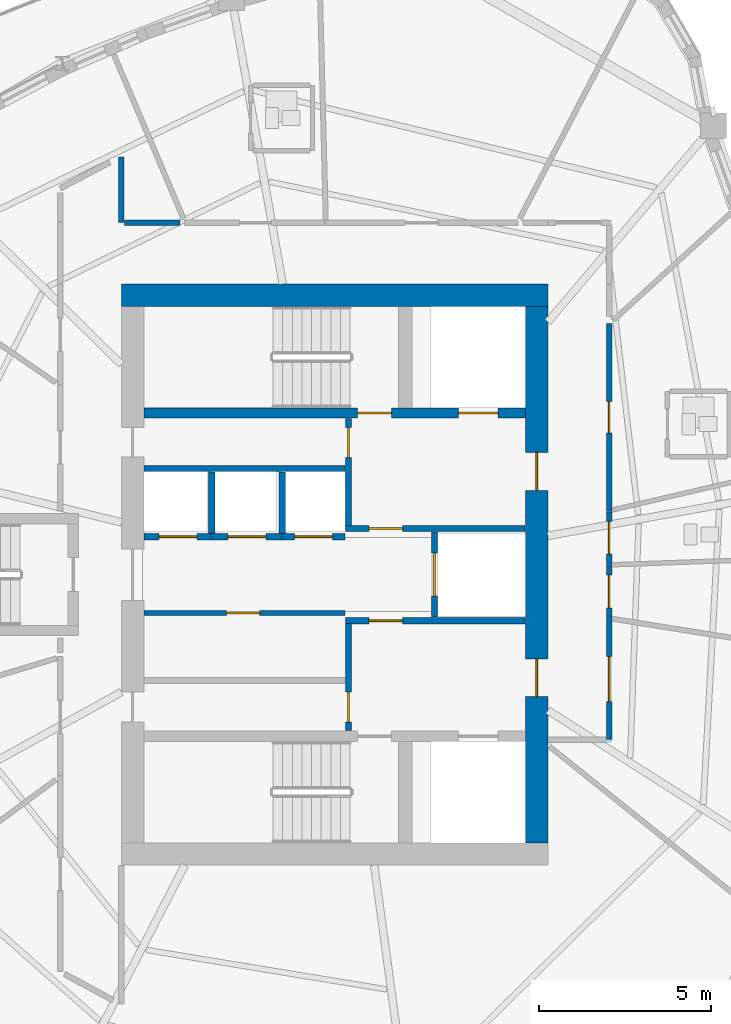
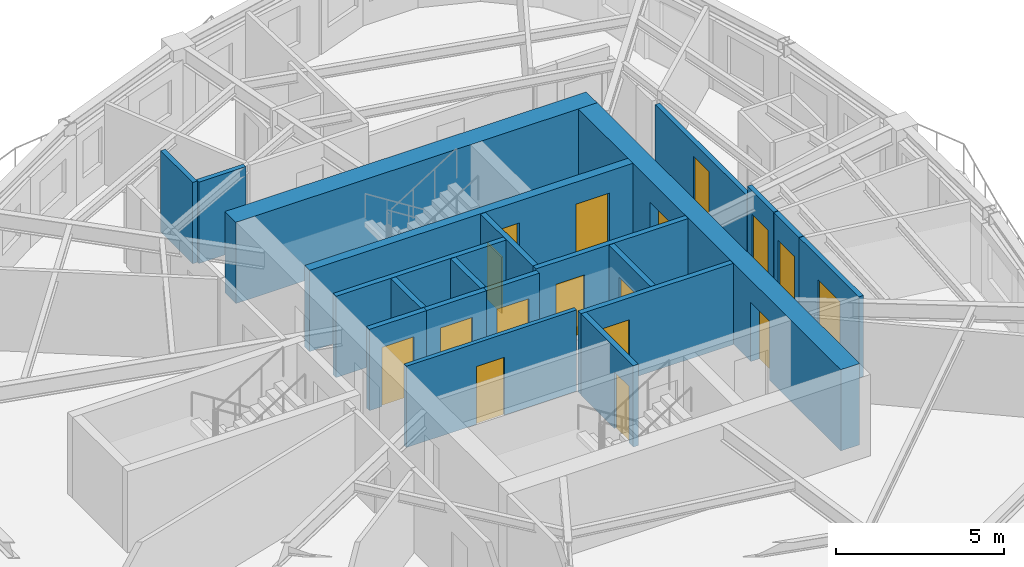
# One storey, part 5 of 12: 21 walls, 17 doors, 17 openings.
"""IFC4 building model written with IfcOpenShell, lengths in metres."""

from ifc_helpers import new_model, si_unit, direction, frame, frame_2d, origin, place, context, subcontext, project, spatial, rectangle, extrude, source, transform, mapped, material, layer, layer_set, type_object, element, fill, save


model = new_model("IFC4")

# Units and contexts
model_context = context("Model", 3, precision=1e-05, world=origin(), true_north=direction((0.0, 1.0)))
body_context = subcontext(model_context, "Body", "Model", "MODEL_VIEW")
ifc_project = project(units=[si_unit("LENGTHUNIT", "METRE"), si_unit("AREAUNIT", "SQUARE_METRE"), si_unit("VOLUMEUNIT", "CUBIC_METRE"), si_unit("PLANEANGLEUNIT", "RADIAN"), si_unit("MASSUNIT", "GRAM", prefix="KILO")], contexts=[model_context])

# Site, building, storey
site_placement = place(None, origin())
site = spatial("IfcSite", under=ifc_project, at=site_placement, CompositionType="ELEMENT")
building_placement = place(site_placement, origin())
building = spatial("IfcBuilding", under=site, at=building_placement, Name="Qafzar Sky-Pleat Residences", CompositionType="ELEMENT")
storey_placement = place(building_placement, frame((0.0, 0.0, 139.39990234375)))
storey = spatial("IfcBuildingStorey", under=building, at=storey_placement, Name="L41", CompositionType="ELEMENT", Elevation=139.39990234375)

# Wall, opening, door
ifc_material_1 = material(Name="Acoustic gypsum plasterboard partition", Category="gypsum")
ifc_layer_1 = layer(ifc_material_1, 0.159912109375)
ifc_layer_set_1 = layer_set([ifc_layer_1], Name="Acoustic gypsum plasterboard partition")
wall_type_1 = type_object("IfcWallType", Name="PART-COR-160", PredefinedType="PARTITIONING", material=ifc_layer_set_1)
wall_1_placement = place(storey_placement, frame((38.330078125, 33.302001953125, 0.0), z_axis=(0.0, 0.0, 1.0), x_axis=(0.0, -1.0, 0.0)))
wall_1 = element("IfcWall", 1, at=wall_1_placement, inside=storey, type_object=wall_type_1, Name="L41 Partition Wall PART-L41-PW-003", PredefinedType="PARTITIONING", context=body_context, shape_type="SweptSolid", body=[
    extrude(rectangle(XDim=5.4619140625, YDim=0.159912109375, at=frame_2d((2.73095703125, 0.0))), origin(), (0.0, 0.0, 1.0), 2.588134765625),
])
opening_1_placement = place(wall_1_placement, frame((2.27294921875, 0.0, 0.0)))
opening_1 = element("IfcOpeningElement", 2, at=opening_1_placement, cuts=wall_1, Name="Opening ID-04", PredefinedType="OPENING", context=body_context, shape_type="SweptSolid", body=[
    extrude(rectangle(XDim=0.919921875, YDim=2.10009765625, at=frame_2d((0.4599609375, 1.050048828125))), frame((0.0, 0.08984375, 0.0), z_axis=(0.0, -1.0, 0.0), x_axis=(1.0, 0.0, 0.0)), (0.0, 0.0, 1.0), 0.179931640625),
])
ifc_material_2 = material(Name="Timber-faced fire door", Category="wood")
door_type_1 = type_object("IfcDoorType", Name="DR-BED-920", OperationType="NOTDEFINED", PredefinedType="DOOR", material=ifc_material_2)
shared_shape_1 = source(origin(), body_context, "Body", "SweptSolid", [
    extrude(rectangle(XDim=0.919921875, YDim=2.10009765625, at=frame_2d((0.4599609375, 1.050048828125))), frame((0.0, 0.02490234375, 0.0), z_axis=(0.0, -1.0, 0.0), x_axis=(1.0, 0.0, 0.0)), (0.0, 0.0, 1.0), 0.050048828125),
])
door_1_placement = place(opening_1_placement, origin())
door_1 = element("IfcDoor", 3, at=door_1_placement, inside=storey, type_object=door_type_1, Name="L41 Co-Living Bedroom 1 Door", OperationType="SINGLE_SWING_LEFT", OverallHeight=2.10009765625, OverallWidth=0.919921875, PredefinedType="DOOR", context=body_context, shape_type="MappedRepresentation", body=[
    mapped(shared_shape_1, transform((0.0, 0.0, 0.0), x_axis=(1.0, 0.0, 0.0), y_axis=(0.0, 1.0, 0.0), z_axis=(0.0, 0.0, 1.0), scale=1.0)),
])
fill(opening_1, door_1)

wall_2_placement = place(storey_placement, frame((38.330078125, 24.7451171875, 0.0), z_axis=(0.0, 0.0, 1.0), x_axis=(0.0, -1.0, 0.0)))
wall_2 = element("IfcWall", 4, at=wall_2_placement, inside=storey, type_object=wall_type_1, Name="L41 Partition Wall PART-L41-PW-006", PredefinedType="PARTITIONING", context=body_context, shape_type="SweptSolid", body=[
    extrude(rectangle(XDim=3.545166015625, YDim=0.159912109375, at=frame_2d((1.7724609375, 0.0))), origin(), (0.0, 0.0, 1.0), 2.9501953125),
])
opening_2_placement = place(wall_2_placement, frame((1.1298828125, 0.0, 0.0)))
opening_2 = element("IfcOpeningElement", 5, at=opening_2_placement, cuts=wall_2, Name="Opening ID-05", PredefinedType="OPENING", context=body_context, shape_type="SweptSolid", body=[
    extrude(rectangle(XDim=1.300048828125, YDim=2.10009765625, at=frame_2d((0.64990234375, 1.050048828125))), frame((0.0, 0.08984375, 0.0), z_axis=(0.0, -1.0, 0.0), x_axis=(1.0, 0.0, 0.0)), (0.0, 0.0, 1.0), 0.179931640625),
])
door_type_2 = type_object("IfcDoorType", Name="DR-LNG-1300", OperationType="DOUBLE_DOOR_SINGLE_SWING", PredefinedType="DOOR", material=ifc_material_2)
shared_shape_2 = source(origin(), body_context, "Body", "SweptSolid", [
    extrude(rectangle(XDim=1.300048828125, YDim=2.10009765625, at=frame_2d((0.64990234375, 1.050048828125))), frame((0.0, 0.02490234375, 0.0), z_axis=(0.0, -1.0, 0.0), x_axis=(1.0, 0.0, 0.0)), (0.0, 0.0, 1.0), 0.050048828125),
])
door_2_placement = place(opening_2_placement, origin())
door_2 = element("IfcDoor", 6, at=door_2_placement, inside=storey, type_object=door_type_2, Name="L41 Co-Living Lounge Door", OperationType="DOUBLE_DOOR_SINGLE_SWING", OverallHeight=2.10009765625, OverallWidth=1.300048828125, PredefinedType="DOOR", context=body_context, shape_type="MappedRepresentation", body=[
    mapped(shared_shape_2, transform((0.0, 0.0, 0.0), x_axis=(1.0, 0.0, 0.0), y_axis=(0.0, 1.0, 0.0), z_axis=(0.0, 0.0, 1.0), scale=1.0)),
])
fill(opening_2, door_2)

wall_3_placement = place(storey_placement, frame((38.330078125, 27.824951171875, 0.0), z_axis=(0.0, 0.0, 1.0), x_axis=(0.0, -1.0, 0.0)))
wall_3 = element("IfcWall", 7, at=wall_3_placement, inside=storey, type_object=wall_type_1, Name="L41 Partition Wall PART-L41-PW-012", PredefinedType="PARTITIONING", context=body_context, shape_type="SweptSolid", body=[
    extrude(rectangle(XDim=1.557861328125, YDim=0.159912109375, at=frame_2d((0.77880859375, 0.0))), origin(), (0.0, 0.0, 1.0), 2.9501953125),
])
opening_3_placement = place(wall_3_placement, frame((0.281005859375, 0.0, 0.0)))
opening_3 = element("IfcOpeningElement", 8, at=opening_3_placement, cuts=wall_3, Name="Opening ID-08", PredefinedType="OPENING", context=body_context, shape_type="SweptSolid", body=[
    extrude(rectangle(XDim=0.949951171875, YDim=2.10009765625, at=frame_2d((0.47509765625, 1.050048828125))), frame((0.0, 0.08984375, 0.0), z_axis=(0.0, -1.0, 0.0), x_axis=(1.0, 0.0, 0.0)), (0.0, 0.0, 1.0), 0.179931640625),
])
door_type_3 = type_object("IfcDoorType", Name="DR-AWC-950", OperationType="NOTDEFINED", PredefinedType="DOOR", material=ifc_material_2)
shared_shape_3 = source(origin(), body_context, "Body", "SweptSolid", [
    extrude(rectangle(XDim=0.949951171875, YDim=2.10009765625, at=frame_2d((0.47509765625, 1.050048828125))), frame((0.0, 0.02490234375, 0.0), z_axis=(0.0, -1.0, 0.0), x_axis=(1.0, 0.0, 0.0)), (0.0, 0.0, 1.0), 0.050048828125),
])
door_3_placement = place(opening_3_placement, origin())
door_3 = element("IfcDoor", 9, at=door_3_placement, inside=storey, type_object=door_type_3, Name="L41 Accessible Shared Washroom Door", OperationType="SINGLE_SWING_RIGHT", OverallHeight=2.10009765625, OverallWidth=0.949951171875, PredefinedType="DOOR", context=body_context, shape_type="MappedRepresentation", body=[
    mapped(shared_shape_3, transform((0.0, 0.0, 0.0), x_axis=(1.0, 0.0, 0.0), y_axis=(0.0, 1.0, 0.0), z_axis=(0.0, 0.0, 1.0), scale=1.0)),
])
fill(opening_3, door_3)

wall_4_placement = place(storey_placement, frame((38.330078125, 26.251953125, 0.0), z_axis=(0.0, 0.0, 1.0), x_axis=(0.0, -1.0, 0.0)))
wall_4 = element("IfcWall", 10, at=wall_4_placement, inside=storey, type_object=wall_type_1, Name="L41 Partition Wall PART-L41-PW-013", PredefinedType="PARTITIONING", context=body_context, shape_type="SweptSolid", body=[
    extrude(rectangle(XDim=1.491943359375, YDim=0.159912109375, at=frame_2d((0.74609375, 0.0))), origin(), (0.0, 0.0, 1.0), 2.9501953125),
])
opening_4_placement = place(wall_4_placement, frame((0.26611328125, 0.0, 0.0)))
opening_4 = element("IfcOpeningElement", 11, at=opening_4_placement, cuts=wall_4, Name="Opening ID-06", PredefinedType="OPENING", context=body_context, shape_type="SweptSolid", body=[
    extrude(rectangle(XDim=0.9599609375, YDim=2.10009765625, at=frame_2d((0.47998046875, 1.050048828125))), frame((0.0, 0.08984375, 0.0), z_axis=(0.0, -1.0, 0.0), x_axis=(1.0, 0.0, 0.0)), (0.0, 0.0, 1.0), 0.179931640625),
])
door_type_4 = type_object("IfcDoorType", Name="DR-STD-960", OperationType="NOTDEFINED", PredefinedType="DOOR", material=ifc_material_2)
shared_shape_4 = source(origin(), body_context, "Body", "SweptSolid", [
    extrude(rectangle(XDim=0.9599609375, YDim=2.10009765625, at=frame_2d((0.47998046875, 1.050048828125))), frame((0.0, 0.02490234375, 0.0), z_axis=(0.0, -1.0, 0.0), x_axis=(1.0, 0.0, 0.0)), (0.0, 0.0, 1.0), 0.050048828125),
])
door_4_placement = place(opening_4_placement, origin())
door_4 = element("IfcDoor", 12, at=door_4_placement, inside=storey, type_object=door_type_4, Name="L41 Scholar Study Room Door", OperationType="SINGLE_SWING_LEFT", OverallHeight=2.10009765625, OverallWidth=0.9599609375, PredefinedType="DOOR", context=body_context, shape_type="MappedRepresentation", body=[
    mapped(shared_shape_4, transform((0.0, 0.0, 0.0), x_axis=(1.0, 0.0, 0.0), y_axis=(0.0, 1.0, 0.0), z_axis=(0.0, 0.0, 1.0), scale=1.0)),
])
fill(opening_4, door_4)

# Walls
wall_5_placement = place(storey_placement, frame((24.14990234375, 36.22998046875, 0.0), z_axis=(0.0, 0.0, 1.0), x_axis=(0.0, 1.0, 0.0)))
element("IfcWall", 13, at=wall_5_placement, inside=storey, type_object=wall_type_1, Name="L41 Partition Wall PART-L41-PW-026", PredefinedType="PARTITIONING", context=body_context, shape_type="SweptSolid", body=[
    extrude(rectangle(XDim=1.906005859375, YDim=0.159912109375, at=frame_2d((0.953125, 0.0))), origin(), (0.0, 0.0, 1.0), 2.9501953125),
])
wall_6_placement = place(storey_placement, frame((24.238037109375, 36.22998046875, 0.0), z_axis=(0.0, 0.0, 1.0), x_axis=(1.0, 0.0, 0.0)))
element("IfcWall", 14, at=wall_6_placement, inside=storey, type_object=wall_type_1, Name="L41 Partition Wall PART-L41-PW-029", PredefinedType="PARTITIONING", context=body_context, shape_type="SweptSolid", body=[
    extrude(rectangle(XDim=1.6162109375, YDim=0.159912109375, at=frame_2d((0.80810546875, 0.0))), origin(), (0.0, 0.0, 1.0), 2.9501953125),
])

# Wall, opening, door
ifc_material_3 = material(Name="Concrete blockwork partition", Category="masonry")
ifc_layer_2 = layer(ifc_material_3, 0.179931640625)
ifc_layer_set_2 = layer_set([ifc_layer_2], Name="Concrete blockwork partition")
wall_type_2 = type_object("IfcWallType", Name="PART-SHAFT-180", PredefinedType="PARTITIONING", material=ifc_layer_set_2)
wall_7_placement = place(storey_placement, frame((30.75, 21.4599609375, 0.0), z_axis=(0.0, 0.0, 1.0), x_axis=(0.0, 1.0, 0.0)))
wall_7 = element("IfcWall", 15, at=wall_7_placement, inside=storey, type_object=wall_type_2, Name="L41 Partition Wall PART-L41-FFL1-W", PredefinedType="PARTITIONING", context=body_context, shape_type="SweptSolid", body=[
    extrude(rectangle(XDim=3.110107421875, YDim=0.179931640625, at=frame_2d((1.55517578125, 0.0))), origin(), (0.0, 0.0, 1.0), 2.9501953125),
])
opening_5_placement = place(wall_7_placement, frame((0.260009765625, 0.0, 0.0)))
opening_5 = element("IfcOpeningElement", 16, at=opening_5_placement, cuts=wall_7, Name="Opening ID-09", PredefinedType="OPENING", context=body_context, shape_type="SweptSolid", body=[
    extrude(rectangle(XDim=0.860107421875, YDim=2.050048828125, at=frame_2d((0.43017578125, 1.02490234375))), frame((0.0, 0.10009765625, 0.0), z_axis=(0.0, -1.0, 0.0), x_axis=(1.0, 0.0, 0.0)), (0.0, 0.0, 1.0), 0.199951171875),
])
door_type_5 = type_object("IfcDoorType", Name="DR-SVC-860", OperationType="NOTDEFINED", PredefinedType="DOOR", material=ifc_material_2)
shared_shape_5 = source(origin(), body_context, "Body", "SweptSolid", [
    extrude(rectangle(XDim=0.860107421875, YDim=2.050048828125, at=frame_2d((0.43017578125, 1.02490234375))), frame((0.0, 0.02490234375, 0.0), z_axis=(0.0, -1.0, 0.0), x_axis=(1.0, 0.0, 0.0)), (0.0, 0.0, 1.0), 0.050048828125),
])
door_5_placement = place(opening_5_placement, origin())
door_5 = element("IfcDoor", 17, at=door_5_placement, inside=storey, type_object=door_type_5, Name="L41 South Core Cupboard Door", OperationType="SINGLE_SWING_RIGHT", OverallHeight=2.050048828125, OverallWidth=0.860107421875, PredefinedType="DOOR", context=body_context, shape_type="MappedRepresentation", body=[
    mapped(shared_shape_5, transform((0.0, 0.0, 0.0), x_axis=(1.0, 0.0, 0.0), y_axis=(0.0, 1.0, 0.0), z_axis=(0.0, 0.0, 1.0), scale=1.0)),
])
fill(opening_5, door_5)

wall_8_placement = place(storey_placement, frame((30.669921875, 24.659912109375, 0.0), z_axis=(0.0, 0.0, 1.0), x_axis=(1.0, 0.0, 0.0)))
wall_8 = element("IfcWall", 18, at=wall_8_placement, inside=storey, type_object=wall_type_2, Name="L41 Partition Wall PART-L41-FFL1-N", PredefinedType="PARTITIONING", context=body_context, shape_type="SweptSolid", body=[
    extrude(rectangle(XDim=5.219970703125, YDim=0.179931640625, at=frame_2d((2.60986328125, 0.0))), origin(), (0.0, 0.0, 1.0), 2.9501953125),
])
opening_6_placement = place(wall_8_placement, frame((0.679931640625, 0.0, 0.0)))
opening_6 = element("IfcOpeningElement", 19, at=opening_6_placement, cuts=wall_8, Name="Opening ID-01", PredefinedType="OPENING", context=body_context, shape_type="SweptSolid", body=[
    extrude(rectangle(XDim=0.97998046875, YDim=2.14990234375, at=frame_2d((0.489990234375, 1.074951171875))), frame((0.0, 0.10009765625, 0.0), z_axis=(0.0, -1.0, 0.0), x_axis=(1.0, 0.0, 0.0)), (0.0, 0.0, 1.0), 0.199951171875),
])
door_type_6 = type_object("IfcDoorType", Name="DR-STAIR-980", OperationType="NOTDEFINED", PredefinedType="DOOR", material=ifc_material_2)
shared_shape_6 = source(origin(), body_context, "Body", "SweptSolid", [
    extrude(rectangle(XDim=0.97998046875, YDim=2.14990234375, at=frame_2d((0.489990234375, 1.074951171875))), frame((0.0, 0.02490234375, 0.0), z_axis=(0.0, -1.0, 0.0), x_axis=(1.0, 0.0, 0.0)), (0.0, 0.0, 1.0), 0.050048828125),
])
door_6_placement = place(opening_6_placement, origin())
door_6 = element("IfcDoor", 20, at=door_6_placement, inside=storey, type_object=door_type_6, Name="L41 Lift Lobby to South Firefighting Lobby Door", OperationType="SINGLE_SWING_LEFT", OverallHeight=2.14990234375, OverallWidth=0.97998046875, PredefinedType="DOOR", context=body_context, shape_type="MappedRepresentation", body=[
    mapped(shared_shape_6, transform((0.0, 0.0, 0.0), x_axis=(1.0, 0.0, 0.0), y_axis=(0.0, 1.0, 0.0), z_axis=(0.0, 0.0, 1.0), scale=1.0)),
])
fill(opening_6, door_6)

wall_9_placement = place(storey_placement, frame((30.75, 27.429931640625, 0.0), z_axis=(0.0, 0.0, 1.0), x_axis=(0.0, 1.0, 0.0)))
wall_9 = element("IfcWall", 21, at=wall_9_placement, inside=storey, type_object=wall_type_2, Name="L41 Partition Wall PART-L41-FFL2-W", PredefinedType="PARTITIONING", context=body_context, shape_type="SweptSolid", body=[
    extrude(rectangle(XDim=3.110107421875, YDim=0.179931640625, at=frame_2d((1.55517578125, 0.0))), origin(), (0.0, 0.0, 1.0), 2.9501953125),
])
opening_7_placement = place(wall_9_placement, frame((1.97998046875, 0.0, 0.0)))
opening_7 = element("IfcOpeningElement", 22, at=opening_7_placement, cuts=wall_9, Name="Opening ID-09", PredefinedType="OPENING", context=body_context, shape_type="SweptSolid", body=[
    extrude(rectangle(XDim=0.860107421875, YDim=2.050048828125, at=frame_2d((0.43017578125, 1.02490234375))), frame((0.0, 0.10009765625, 0.0), z_axis=(0.0, -1.0, 0.0), x_axis=(1.0, 0.0, 0.0)), (0.0, 0.0, 1.0), 0.199951171875),
])
door_7_placement = place(opening_7_placement, origin())
door_7 = element("IfcDoor", 23, at=door_7_placement, inside=storey, type_object=door_type_5, Name="L41 North Core Cupboard Door", OperationType="SINGLE_SWING_RIGHT", OverallHeight=2.050048828125, OverallWidth=0.860107421875, PredefinedType="DOOR", context=body_context, shape_type="MappedRepresentation", body=[
    mapped(shared_shape_5, transform((0.0, 0.0, 0.0), x_axis=(1.0, 0.0, 0.0), y_axis=(0.0, 1.0, 0.0), z_axis=(0.0, 0.0, 1.0), scale=1.0)),
])
fill(opening_7, door_7)

wall_10_placement = place(storey_placement, frame((30.669921875, 27.340087890625, 0.0), z_axis=(0.0, 0.0, 1.0), x_axis=(1.0, 0.0, 0.0)))
wall_10 = element("IfcWall", 24, at=wall_10_placement, inside=storey, type_object=wall_type_2, Name="L41 Partition Wall PART-L41-FFL2-S", PredefinedType="PARTITIONING", context=body_context, shape_type="SweptSolid", body=[
    extrude(rectangle(XDim=5.219970703125, YDim=0.179931640625, at=frame_2d((2.60986328125, 0.0))), origin(), (0.0, 0.0, 1.0), 2.9501953125),
])
opening_8_placement = place(wall_10_placement, frame((0.679931640625, 0.0, 0.0)))
opening_8 = element("IfcOpeningElement", 25, at=opening_8_placement, cuts=wall_10, Name="Opening ID-01", PredefinedType="OPENING", context=body_context, shape_type="SweptSolid", body=[
    extrude(rectangle(XDim=0.97998046875, YDim=2.14990234375, at=frame_2d((0.489990234375, 1.074951171875))), frame((0.0, 0.10009765625, 0.0), z_axis=(0.0, -1.0, 0.0), x_axis=(1.0, 0.0, 0.0)), (0.0, 0.0, 1.0), 0.199951171875),
])
door_8_placement = place(opening_8_placement, origin())
door_8 = element("IfcDoor", 26, at=door_8_placement, inside=storey, type_object=door_type_6, Name="L41 Lift Lobby to North Firefighting Lobby Door", OperationType="SINGLE_SWING_LEFT", OverallHeight=2.14990234375, OverallWidth=0.97998046875, PredefinedType="DOOR", context=body_context, shape_type="MappedRepresentation", body=[
    mapped(shared_shape_6, transform((0.0, 0.0, 0.0), x_axis=(1.0, 0.0, 0.0), y_axis=(0.0, 1.0, 0.0), z_axis=(0.0, 0.0, 1.0), scale=1.0)),
])
fill(opening_8, door_8)

wall_11_placement = place(storey_placement, frame((33.25, 24.760009765625, 0.0), z_axis=(0.0, 0.0, 1.0), x_axis=(0.0, 1.0, 0.0)))
wall_11 = element("IfcWall", 27, at=wall_11_placement, inside=storey, type_object=wall_type_2, Name="L41 Partition Wall PART-L41-SV1-W", PredefinedType="PARTITIONING", context=body_context, shape_type="SweptSolid", body=[
    extrude(rectangle(XDim=2.47998046875, YDim=0.179931640625, at=frame_2d((1.239990234375, 0.0))), origin(), (0.0, 0.0, 1.0), 2.9501953125),
])
opening_9_placement = place(wall_11_placement, frame((0.614990234375, 0.0, 0.0)))
opening_9 = element("IfcOpeningElement", 28, at=opening_9_placement, cuts=wall_11, Name="Opening LD-03", PredefinedType="OPENING", context=body_context, shape_type="SweptSolid", body=[
    extrude(rectangle(XDim=1.25, YDim=2.14990234375, at=frame_2d((0.625, 1.074951171875))), frame((0.0, 0.10009765625, 0.0), z_axis=(0.0, -1.0, 0.0), x_axis=(1.0, 0.0, 0.0)), (0.0, 0.0, 1.0), 0.199951171875),
])
ifc_material_4 = material(Name="Stainless steel sliding landing door", Category="steel")
door_type_7 = type_object("IfcDoorType", Name="DR-LIFT-SV", OperationType="DOUBLE_DOOR_SLIDING", PredefinedType="DOOR", material=ifc_material_4)
shared_shape_7 = source(origin(), body_context, "Body", "SweptSolid", [
    extrude(rectangle(XDim=1.25, YDim=2.14990234375, at=frame_2d((0.625, 1.074951171875))), frame((0.0, 0.02490234375, 0.0), z_axis=(0.0, -1.0, 0.0), x_axis=(1.0, 0.0, 0.0)), (0.0, 0.0, 1.0), 0.050048828125),
])
door_9_placement = place(opening_9_placement, origin())
door_9 = element("IfcDoor", 29, at=door_9_placement, inside=storey, type_object=door_type_7, Name="L41 Service Lift SV1 Landing Door", OperationType="DOUBLE_DOOR_SLIDING", OverallHeight=2.14990234375, OverallWidth=1.25, PredefinedType="DOOR", context=body_context, shape_type="MappedRepresentation", body=[
    mapped(shared_shape_7, transform((0.0, 0.0, 0.0), x_axis=(1.0, 0.0, 0.0), y_axis=(0.0, 1.0, 0.0), z_axis=(0.0, 0.0, 1.0), scale=1.0)),
])
fill(opening_9, door_9)

# Wall
wall_12_placement = place(storey_placement, frame((24.81005859375, 29.080078125, 0.0), z_axis=(0.0, 0.0, 1.0), x_axis=(1.0, 0.0, 0.0)))
element("IfcWall", 30, at=wall_12_placement, inside=storey, type_object=wall_type_2, Name="L41 Partition Wall PART-L41-P46-N", PredefinedType="PARTITIONING", context=body_context, shape_type="SweptSolid", body=[
    extrude(rectangle(XDim=5.83984375, YDim=0.179931640625, at=frame_2d((2.919921875, 0.0))), origin(), (0.0, 0.0, 1.0), 2.9501953125),
])

# Wall, opening, door
wall_13_placement = place(storey_placement, frame((24.81005859375, 27.10009765625, 0.0), z_axis=(0.0, 0.0, 1.0), x_axis=(1.0, 0.0, 0.0)))
wall_13 = element("IfcWall", 31, at=wall_13_placement, inside=storey, type_object=wall_type_2, Name="L41 Partition Wall PART-L41-P4-S", PredefinedType="PARTITIONING", context=body_context, shape_type="SweptSolid", body=[
    extrude(rectangle(XDim=1.96484375, YDim=0.179931640625, at=frame_2d((0.982421875, 0.0))), origin(), (0.0, 0.0, 1.0), 2.9501953125),
])
opening_10_placement = place(wall_13_placement, frame((0.4326171875, 0.0, 0.0)))
opening_10 = element("IfcOpeningElement", 32, at=opening_10_placement, cuts=wall_13, Name="Opening LD-01", PredefinedType="OPENING", context=body_context, shape_type="SweptSolid", body=[
    extrude(rectangle(XDim=1.10009765625, YDim=2.14990234375, at=frame_2d((0.550048828125, 1.074951171875))), frame((0.0, 0.10009765625, 0.0), z_axis=(0.0, -1.0, 0.0), x_axis=(1.0, 0.0, 0.0)), (0.0, 0.0, 1.0), 0.199951171875),
])
door_type_8 = type_object("IfcDoorType", Name="DR-LIFT-P", OperationType="DOUBLE_DOOR_SLIDING", PredefinedType="DOOR", material=ifc_material_4)
shared_shape_8 = source(origin(), body_context, "Body", "SweptSolid", [
    extrude(rectangle(XDim=1.10009765625, YDim=2.14990234375, at=frame_2d((0.550048828125, 1.074951171875))), frame((0.0, 0.02490234375, 0.0), z_axis=(0.0, -1.0, 0.0), x_axis=(1.0, 0.0, 0.0)), (0.0, 0.0, 1.0), 0.050048828125),
])
door_10_placement = place(opening_10_placement, origin())
door_10 = element("IfcDoor", 33, at=door_10_placement, inside=storey, type_object=door_type_8, Name="L41 Passenger Lift P4 Landing Door", OperationType="DOUBLE_DOOR_SLIDING", OverallHeight=2.14990234375, OverallWidth=1.10009765625, PredefinedType="DOOR", context=body_context, shape_type="MappedRepresentation", body=[
    mapped(shared_shape_8, transform((0.0, 0.0, 0.0), x_axis=(1.0, 0.0, 0.0), y_axis=(0.0, 1.0, 0.0), z_axis=(0.0, 0.0, 1.0), scale=1.0)),
])
fill(opening_10, door_10)

wall_14_placement = place(storey_placement, frame((26.77490234375, 27.10009765625, 0.0), z_axis=(0.0, 0.0, 1.0), x_axis=(1.0, 0.0, 0.0)))
wall_14 = element("IfcWall", 34, at=wall_14_placement, inside=storey, type_object=wall_type_2, Name="L41 Partition Wall PART-L41-P5-S", PredefinedType="PARTITIONING", context=body_context, shape_type="SweptSolid", body=[
    extrude(rectangle(XDim=2.050048828125, YDim=0.179931640625, at=frame_2d((1.02490234375, 0.0))), origin(), (0.0, 0.0, 1.0), 2.9501953125),
])
opening_11_placement = place(wall_14_placement, frame((0.47509765625, 0.0, 0.0)))
opening_11 = element("IfcOpeningElement", 35, at=opening_11_placement, cuts=wall_14, Name="Opening LD-01", PredefinedType="OPENING", context=body_context, shape_type="SweptSolid", body=[
    extrude(rectangle(XDim=1.10009765625, YDim=2.14990234375, at=frame_2d((0.550048828125, 1.074951171875))), frame((0.0, 0.10009765625, 0.0), z_axis=(0.0, -1.0, 0.0), x_axis=(1.0, 0.0, 0.0)), (0.0, 0.0, 1.0), 0.199951171875),
])
door_11_placement = place(opening_11_placement, origin())
door_11 = element("IfcDoor", 36, at=door_11_placement, inside=storey, type_object=door_type_8, Name="L41 Passenger Lift P5 Landing Door", OperationType="DOUBLE_DOOR_SLIDING", OverallHeight=2.14990234375, OverallWidth=1.10009765625, PredefinedType="DOOR", context=body_context, shape_type="MappedRepresentation", body=[
    mapped(shared_shape_8, transform((0.0, 0.0, 0.0), x_axis=(1.0, 0.0, 0.0), y_axis=(0.0, 1.0, 0.0), z_axis=(0.0, 0.0, 1.0), scale=1.0)),
])
fill(opening_11, door_11)

# Wall
wall_15_placement = place(storey_placement, frame((26.77490234375, 27.199951171875, 0.0), z_axis=(0.0, 0.0, 1.0), x_axis=(0.0, 1.0, 0.0)))
element("IfcWall", 37, at=wall_15_placement, inside=storey, type_object=wall_type_2, Name="L41 Partition Wall PART-L41-P46-DIV-1", PredefinedType="PARTITIONING", context=body_context, shape_type="SweptSolid", body=[
    extrude(rectangle(XDim=1.780029296875, YDim=0.179931640625, at=frame_2d((0.89013671875, 0.0))), origin(), (0.0, 0.0, 1.0), 2.9501953125),
])

# Wall, opening, door
wall_16_placement = place(storey_placement, frame((28.824951171875, 27.10009765625, 0.0), z_axis=(0.0, 0.0, 1.0), x_axis=(1.0, 0.0, 0.0)))
wall_16 = element("IfcWall", 38, at=wall_16_placement, inside=storey, type_object=wall_type_2, Name="L41 Partition Wall PART-L41-P6-S", PredefinedType="PARTITIONING", context=body_context, shape_type="SweptSolid", body=[
    extrude(rectangle(XDim=1.824951171875, YDim=0.179931640625, at=frame_2d((0.91259765625, 0.0))), origin(), (0.0, 0.0, 1.0), 2.9501953125),
])
opening_12_placement = place(wall_16_placement, frame((0.362548828125, 0.0, 0.0)))
opening_12 = element("IfcOpeningElement", 39, at=opening_12_placement, cuts=wall_16, Name="Opening LD-01", PredefinedType="OPENING", context=body_context, shape_type="SweptSolid", body=[
    extrude(rectangle(XDim=1.10009765625, YDim=2.14990234375, at=frame_2d((0.550048828125, 1.074951171875))), frame((0.0, 0.10009765625, 0.0), z_axis=(0.0, -1.0, 0.0), x_axis=(1.0, 0.0, 0.0)), (0.0, 0.0, 1.0), 0.199951171875),
])
door_12_placement = place(opening_12_placement, origin())
door_12 = element("IfcDoor", 40, at=door_12_placement, inside=storey, type_object=door_type_8, Name="L41 Passenger Lift P6 Landing Door", OperationType="DOUBLE_DOOR_SLIDING", OverallHeight=2.14990234375, OverallWidth=1.10009765625, PredefinedType="DOOR", context=body_context, shape_type="MappedRepresentation", body=[
    mapped(shared_shape_8, transform((0.0, 0.0, 0.0), x_axis=(1.0, 0.0, 0.0), y_axis=(0.0, 1.0, 0.0), z_axis=(0.0, 0.0, 1.0), scale=1.0)),
])
fill(opening_12, door_12)

# Wall
wall_17_placement = place(storey_placement, frame((28.824951171875, 27.199951171875, 0.0), z_axis=(0.0, 0.0, 1.0), x_axis=(0.0, 1.0, 0.0)))
element("IfcWall", 41, at=wall_17_placement, inside=storey, type_object=wall_type_2, Name="L41 Partition Wall PART-L41-P46-DIV-2", PredefinedType="PARTITIONING", context=body_context, shape_type="SweptSolid", body=[
    extrude(rectangle(XDim=1.780029296875, YDim=0.179931640625, at=frame_2d((0.89013671875, 0.0))), origin(), (0.0, 0.0, 1.0), 2.9501953125),
])

# Wall, opening, door
ifc_layer_3 = layer(ifc_material_1, 0.14501953125)
ifc_layer_set_3 = layer_set([ifc_layer_3], Name="Acoustic gypsum plasterboard partition")
wall_type_3 = type_object("IfcWallType", Name="PART-UNIT-145", PredefinedType="PARTITIONING", material=ifc_layer_set_3)
wall_18_placement = place(storey_placement, frame((24.81005859375, 24.8798828125, 0.0), z_axis=(0.0, 0.0, 1.0), x_axis=(1.0, 0.0, 0.0)))
wall_18 = element("IfcWall", 42, at=wall_18_placement, inside=storey, type_object=wall_type_3, Name="L41 Partition Wall PART-L41-RECLAIM-N", PredefinedType="PARTITIONING", context=body_context, shape_type="SweptSolid", body=[
    extrude(rectangle(XDim=5.83984375, YDim=0.14501953125, at=frame_2d((2.919921875, 0.0))), origin(), (0.0, 0.0, 1.0), 2.9501953125),
])
opening_13_placement = place(wall_18_placement, frame((2.39990234375, 0.0, 0.0)))
opening_13 = element("IfcOpeningElement", 43, at=opening_13_placement, cuts=wall_18, Name="Opening ID-06", PredefinedType="OPENING", context=body_context, shape_type="SweptSolid", body=[
    extrude(rectangle(XDim=0.9599609375, YDim=2.10009765625, at=frame_2d((0.47998046875, 1.050048828125))), frame((0.0, 0.08251953125, 0.0), z_axis=(0.0, -1.0, 0.0), x_axis=(1.0, 0.0, 0.0)), (0.0, 0.0, 1.0), 0.1650390625),
])
door_13_placement = place(opening_13_placement, origin())
door_13 = element("IfcDoor", 44, at=door_13_placement, inside=storey, type_object=door_type_4, Name="L41 Reclaimed Resident Laundry Room Door", OperationType="SINGLE_SWING_RIGHT", OverallHeight=2.10009765625, OverallWidth=0.9599609375, PredefinedType="DOOR", context=body_context, shape_type="MappedRepresentation", body=[
    mapped(shared_shape_4, transform((0.0, 0.0, 0.0), x_axis=(1.0, 0.0, 0.0), y_axis=(0.0, 1.0, 0.0), z_axis=(0.0, 0.0, 1.0), scale=1.0)),
])
fill(opening_13, door_13)

# Wall, openings, doors
ifc_material_5 = material(Name="Concrete C60/75", Category="concrete")
ifc_layer_4 = layer(ifc_material_5, 0.300048828125)
ifc_layer_set_4 = layer_set([ifc_layer_4], Name="Concrete C60/75")
wall_type_4 = type_object("IfcWallType", Name="WALL-SHEAR-300", PredefinedType="SHEAR", material=ifc_layer_set_4)
wall_19_placement = place(storey_placement, frame((24.800048828125, 30.699951171875, 0.0), z_axis=(0.0, 0.0, 1.0), x_axis=(1.0, 0.0, 0.0)))
wall_19 = element("IfcWall", 45, at=wall_19_placement, inside=storey, type_object=wall_type_4, Name="L41 Stair ST2 and FF2 Shaft South Wall", PredefinedType="SHEAR", context=body_context, shape_type="SweptSolid", body=[
    extrude(rectangle(XDim=11.099853515625, YDim=0.300048828125, at=frame_2d((5.5498046875, 0.0))), origin(), (0.0, 0.0, 1.0), 2.9501953125),
])
opening_14_placement = place(wall_19_placement, frame((6.219970703125, 0.0, 0.0)))
opening_14 = element("IfcOpeningElement", 46, at=opening_14_placement, cuts=wall_19, Name="Opening ID-01", PredefinedType="OPENING", context=body_context, shape_type="SweptSolid", body=[
    extrude(rectangle(XDim=0.97998046875, YDim=2.14990234375, at=frame_2d((0.489990234375, 1.074951171875))), frame((0.0, 0.16015625, 0.0), z_axis=(0.0, -1.0, 0.0), x_axis=(1.0, 0.0, 0.0)), (0.0, 0.0, 1.0), 0.320068359375),
])
opening_15_placement = place(wall_19_placement, frame((9.14990234375, 0.0, 0.0)))
opening_15 = element("IfcOpeningElement", 47, at=opening_15_placement, cuts=wall_19, Name="Opening LD-02", PredefinedType="OPENING", context=body_context, shape_type="SweptSolid", body=[
    extrude(rectangle(XDim=1.14990234375, YDim=2.14990234375, at=frame_2d((0.574951171875, 1.074951171875))), frame((0.0, 0.16015625, 0.0), z_axis=(0.0, -1.0, 0.0), x_axis=(1.0, 0.0, 0.0)), (0.0, 0.0, 1.0), 0.320068359375),
])
door_14_placement = place(opening_14_placement, origin())
door_14 = element("IfcDoor", 48, at=door_14_placement, inside=storey, type_object=door_type_6, Name="L41 Stair ST2 Fire Door", OperationType="SINGLE_SWING_RIGHT", OverallHeight=2.14990234375, OverallWidth=0.97998046875, PredefinedType="DOOR", context=body_context, shape_type="MappedRepresentation", body=[
    mapped(shared_shape_6, transform((0.0, 0.0, 0.0), x_axis=(1.0, 0.0, 0.0), y_axis=(0.0, 1.0, 0.0), z_axis=(0.0, 0.0, 1.0), scale=1.0)),
])
fill(opening_14, door_14)
door_type_9 = type_object("IfcDoorType", Name="DR-LIFT-FF", OperationType="DOUBLE_DOOR_SLIDING", PredefinedType="DOOR", material=ifc_material_4)
shared_shape_9 = source(origin(), body_context, "Body", "SweptSolid", [
    extrude(rectangle(XDim=1.14990234375, YDim=2.14990234375, at=frame_2d((0.574951171875, 1.074951171875))), frame((0.0, 0.02490234375, 0.0), z_axis=(0.0, -1.0, 0.0), x_axis=(1.0, 0.0, 0.0)), (0.0, 0.0, 1.0), 0.050048828125),
])
door_15_placement = place(opening_15_placement, origin())
door_15 = element("IfcDoor", 49, at=door_15_placement, inside=storey, type_object=door_type_9, Name="L41 Firefighting Lift FF2 Landing Door", OperationType="DOUBLE_DOOR_SLIDING", OverallHeight=2.14990234375, OverallWidth=1.14990234375, PredefinedType="DOOR", context=body_context, shape_type="MappedRepresentation", body=[
    mapped(shared_shape_9, transform((0.0, 0.0, 0.0), x_axis=(1.0, 0.0, 0.0), y_axis=(0.0, 1.0, 0.0), z_axis=(0.0, 0.0, 1.0), scale=1.0)),
])
fill(opening_15, door_15)

# Wall
ifc_layer_5 = layer(ifc_material_5, 0.64990234375)
ifc_layer_set_5 = layer_set([ifc_layer_5], Name="Concrete C60/75")
wall_type_5 = type_object("IfcWallType", Name="WALL-SHEAR-650", PredefinedType="SHEAR", material=ifc_layer_set_5)
wall_20_placement = place(storey_placement, frame((36.550048828125, 34.125, 0.0), z_axis=(0.0, 0.0, 1.0), x_axis=(-1.0, 0.0, 0.0)))
element("IfcWall", 50, at=wall_20_placement, inside=storey, type_object=wall_type_5, Name="L41 CORE wall N", PredefinedType="SHEAR", context=body_context, shape_type="SweptSolid", body=[
    extrude(rectangle(XDim=12.400146484375, YDim=0.64990234375, at=frame_2d((6.2001953125, 0.0))), origin(), (0.0, 0.0, 1.0), 2.9501953125),
])

# Wall, openings, doors
wall_21_placement = place(storey_placement, frame((36.22509765625, 18.199951171875, 0.0), z_axis=(0.0, 0.0, 1.0), x_axis=(0.0, 1.0, 0.0)))
wall_21 = element("IfcWall", 51, at=wall_21_placement, inside=storey, type_object=wall_type_5, Name="L41 CORE wall E", PredefinedType="SHEAR", context=body_context, shape_type="SweptSolid", body=[
    extrude(rectangle(XDim=15.60009765625, YDim=0.64990234375, at=frame_2d((7.800048828125, 0.0))), origin(), (0.0, 0.0, 1.0), 2.9501953125),
])
opening_16_placement = place(wall_21_placement, frame((4.25, 0.0, 0.0)))
opening_16 = element("IfcOpeningElement", 52, at=opening_16_placement, cuts=wall_21, Name="Opening ID-02", PredefinedType="OPENING", context=body_context, shape_type="SweptSolid", body=[
    extrude(rectangle(XDim=1.10009765625, YDim=2.14990234375, at=frame_2d((0.550048828125, 1.074951171875))), frame((0.0, 0.3349609375, 0.0), z_axis=(0.0, -1.0, 0.0), x_axis=(1.0, 0.0, 0.0)), (0.0, 0.0, 1.0), 0.669921875),
])
opening_17_placement = place(wall_21_placement, frame((10.25, 0.0, 0.0)))
opening_17 = element("IfcOpeningElement", 53, at=opening_17_placement, cuts=wall_21, Name="Opening ID-02", PredefinedType="OPENING", context=body_context, shape_type="SweptSolid", body=[
    extrude(rectangle(XDim=1.10009765625, YDim=2.14990234375, at=frame_2d((0.550048828125, 1.074951171875))), frame((0.0, 0.3349609375, 0.0), z_axis=(0.0, -1.0, 0.0), x_axis=(1.0, 0.0, 0.0)), (0.0, 0.0, 1.0), 0.669921875),
])
door_type_10 = type_object("IfcDoorType", Name="DR-FFL-1100", OperationType="NOTDEFINED", PredefinedType="DOOR", material=ifc_material_2)
door_16_placement = place(opening_16_placement, origin())
door_16 = element("IfcDoor", 54, at=door_16_placement, inside=storey, type_object=door_type_10, Name="L41 Firefighting Lobby South Corridor Door", OperationType="SINGLE_SWING_RIGHT", OverallHeight=2.14990234375, OverallWidth=1.10009765625, PredefinedType="DOOR", context=body_context, shape_type="MappedRepresentation", body=[
    mapped(shared_shape_8, transform((0.0, 0.0, 0.0), x_axis=(1.0, 0.0, 0.0), y_axis=(0.0, 1.0, 0.0), z_axis=(0.0, 0.0, 1.0), scale=1.0)),
])
fill(opening_16, door_16)
door_17_placement = place(opening_17_placement, origin())
door_17 = element("IfcDoor", 55, at=door_17_placement, inside=storey, type_object=door_type_10, Name="L41 Firefighting Lobby North Corridor Door", OperationType="SINGLE_SWING_LEFT", OverallHeight=2.14990234375, OverallWidth=1.10009765625, PredefinedType="DOOR", context=body_context, shape_type="MappedRepresentation", body=[
    mapped(shared_shape_8, transform((0.0, 0.0, 0.0), x_axis=(1.0, 0.0, 0.0), y_axis=(0.0, 1.0, 0.0), z_axis=(0.0, 0.0, 1.0), scale=1.0)),
])
fill(opening_17, door_17)

save(model, "model.ifc")
